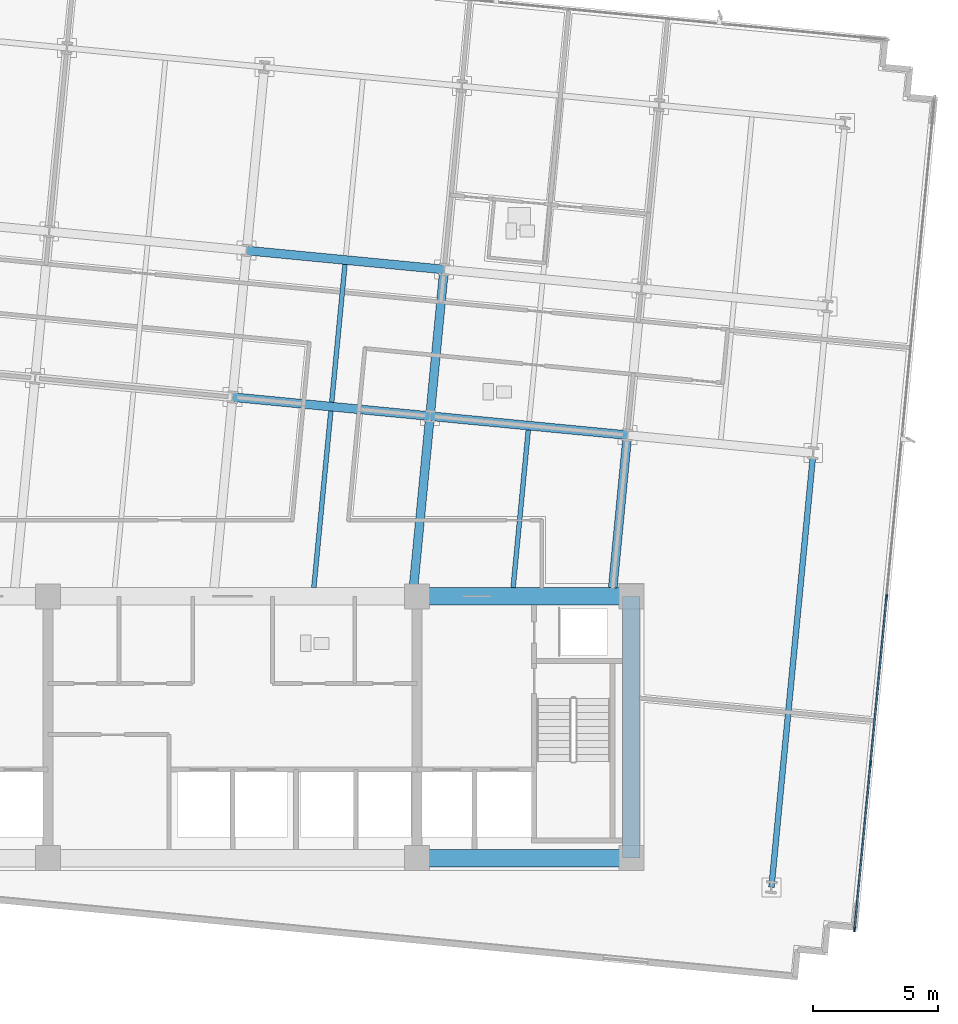
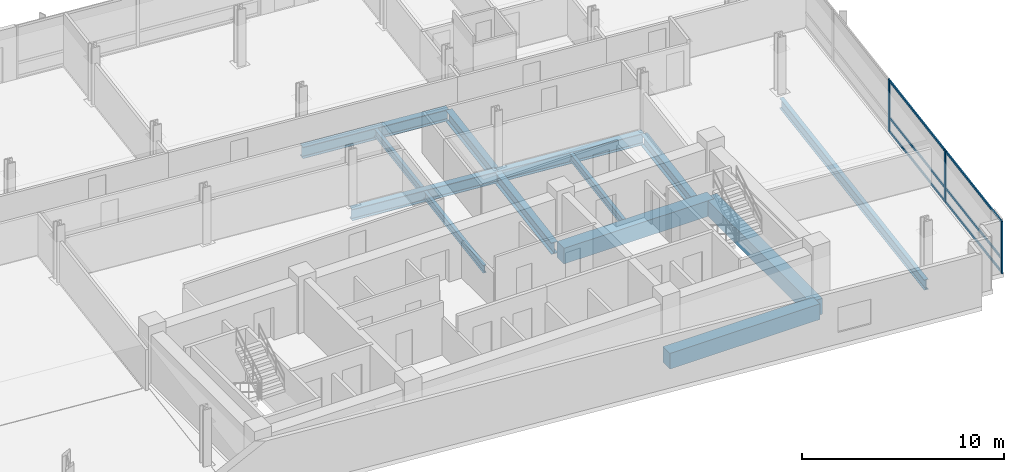
# One storey, part 5 of 17: 13 beams, 9 members, 1 element without a shape of its own.
"""IFC4 building model written with IfcOpenShell, lengths in metres."""

from ifc_helpers import new_model, si_unit, direction, frame, origin, origin_2d, place, context, subcontext, project, spatial, rectangle, i_section, extrude, material, material_profile, profile_set, type_object, element, aggregate, save


model = new_model("IFC4")

# Units and contexts
model_context = context("Model", 3, precision=1e-05, world=origin(), true_north=direction((0.0, 1.0)))
body_context = subcontext(model_context, "Body", "Model", "MODEL_VIEW")
ifc_project = project(units=[si_unit("LENGTHUNIT", "METRE"), si_unit("AREAUNIT", "SQUARE_METRE"), si_unit("VOLUMEUNIT", "CUBIC_METRE"), si_unit("PLANEANGLEUNIT", "RADIAN"), si_unit("MASSUNIT", "GRAM", prefix="KILO")], contexts=[model_context])

# Site, building, storey
site_placement = place(None, origin())
site = spatial("IfcSite", under=ifc_project, at=site_placement, CompositionType="ELEMENT")
building_placement = place(site_placement, origin())
building = spatial("IfcBuilding", under=site, at=building_placement, Name="Solmavex Isthmus Hotel", CompositionType="ELEMENT")
storey_placement = place(building_placement, frame((0.0, 0.0, 163.5)))
storey = spatial("IfcBuildingStorey", under=building, at=storey_placement, Name="L44", CompositionType="ELEMENT", Elevation=163.5)

# Beams
ifc_material_1 = material(Name="Steel ASTM A992 Grade 50", Category="steel")
ifc_material_profile_1 = material_profile(ifc_material_1, i_section(OverallWidth=0.354736328125, OverallDepth=0.695556640625, WebThickness=0.015380859375, FlangeThickness=0.02490234375, FilletRadius=0.017822265625, at=origin_2d()), Name="W27X146")
ifc_profile_set_1 = profile_set([ifc_material_profile_1], Name="Steel ASTM A992 Grade 50")
beam_type_1 = type_object("IfcBeamType", Name="BM-BG-W27X146", PredefinedType="BEAM", material=ifc_profile_set_1)
for number, where, z_axis, x_axis, name in (
    (1, (0.001220703125, 5.490234375, -0.607666015625), (0.995397440011, -0.095832856685, 0.0), (0.095832856685, 0.995397440011, 0.0), "Floor Girder L44-UG06"),
    (2, (7.920654296875, 4.727783203125, -0.607666015625), (0.995397440011, -0.095832856685, 0.0), (0.095832856685, 0.995397440011, 0.0), "Floor Girder L44-UG07"),
):
    element("IfcBeam", number, at=place(storey_placement, frame(where, z_axis=z_axis, x_axis=x_axis)), inside=storey, type_object=beam_type_1, Name=name, PredefinedType="BEAM", context=body_context, shape_type="SweptSolid", body=[
        extrude(i_section(OverallWidth=0.354736328125, OverallDepth=0.695556640625, WebThickness=0.015380859375, FlangeThickness=0.02490234375, FilletRadius=0.017822265625, at=origin_2d()), origin(), (0.0, 0.0, 1.0), 7.9560546875),
    ])
beam_1_placement = place(storey_placement, frame((0.567626953125, 11.37109375, -0.607666015625), z_axis=(0.995397158178, -0.095835783981, 0.0), x_axis=(0.095835783981, 0.995397158178, 0.0)))
element("IfcBeam", 3, at=beam_1_placement, inside=storey, type_object=beam_type_1, Name="Floor Girder L44-UG12", PredefinedType="BEAM", context=body_context, shape_type="SweptSolid", body=[
    extrude(i_section(OverallWidth=0.354736328125, OverallDepth=0.695556640625, WebThickness=0.015380859375, FlangeThickness=0.02490234375, FilletRadius=0.017822265625, at=origin_2d()), origin(), (0.0, 0.0, 1.0), 7.955810546875),
])
beam_2_placement = place(storey_placement, frame((7.25830078125, -2.14990234375, -0.607666015625), z_axis=(0.095847843924, 0.995395996986, 0.0), x_axis=(-0.995395996986, 0.095847843924, 0.0)))
element("IfcBeam", 4, at=beam_2_placement, inside=storey, type_object=beam_type_1, Name="Floor Beam L44-VG33", PredefinedType="BEAM", context=body_context, shape_type="SweptSolid", body=[
    extrude(i_section(OverallWidth=0.354736328125, OverallDepth=0.695556640625, WebThickness=0.015380859375, FlangeThickness=0.02490234375, FilletRadius=0.017822265625, at=origin_2d()), origin(), (0.0, 0.0, 1.0), 6.732177734375),
])
beam_3_placement = place(storey_placement, frame((7.937744140625, 4.904296875, -0.607666015625), z_axis=(0.095842252862, 0.99539653534, 0.0), x_axis=(-0.99539653534, 0.095842252862, 0.0)))
element("IfcBeam", 5, at=beam_3_placement, inside=storey, type_object=beam_type_1, Name="Floor Beam L44-VG34", PredefinedType="BEAM", context=body_context, shape_type="SweptSolid", body=[
    extrude(i_section(OverallWidth=0.354736328125, OverallDepth=0.695556640625, WebThickness=0.015380859375, FlangeThickness=0.02490234375, FilletRadius=0.017822265625, at=origin_2d()), origin(), (0.0, 0.0, 1.0), 5.55322265625),
])
beam_4_placement = place(storey_placement, frame((15.251220703125, -2.14990234375, -0.607666015625), z_axis=(0.095840286514, 0.995396724669, 0.0), x_axis=(-0.995396724669, 0.095840286514, 0.0)))
element("IfcBeam", 6, at=beam_4_placement, inside=storey, type_object=beam_type_1, Name="Floor Beam L44-VG36", PredefinedType="BEAM", context=body_context, shape_type="SweptSolid", body=[
    extrude(i_section(OverallWidth=0.354736328125, OverallDepth=0.695556640625, WebThickness=0.015380859375, FlangeThickness=0.02490234375, FilletRadius=0.017822265625, at=origin_2d()), origin(), (0.0, 0.0, 1.0), 5.9658203125),
])
ifc_material_profile_2 = material_profile(ifc_material_1, i_section(OverallWidth=0.1904296875, OverallDepth=0.456787109375, WebThickness=0.009033203125, FlangeThickness=0.014404296875, FilletRadius=0.0126953125, at=origin_2d()), Name="W18X50")
ifc_profile_set_2 = profile_set([ifc_material_profile_2], Name="Steel ASTM A992 Grade 50")
beam_type_2 = type_object("IfcBeamType", Name="BM-BJ-W18X50", PredefinedType="JOIST", material=ifc_profile_set_2)
beam_5_placement = place(storey_placement, frame((3.261962890625, -2.14990234375, -0.488525390625), z_axis=(0.095837287001, 0.995397013468, 0.0), x_axis=(-0.995397013468, 0.095837287001, 0.0)))
element("IfcBeam", 7, at=beam_5_placement, inside=storey, type_object=beam_type_2, Name="Secondary Floor Joist L44-J10", PredefinedType="JOIST", context=body_context, shape_type="SweptSolid", body=[
    extrude(i_section(OverallWidth=0.1904296875, OverallDepth=0.456787109375, WebThickness=0.009033203125, FlangeThickness=0.014404296875, FilletRadius=0.0126953125, at=origin_2d()), origin(), (0.0, 0.0, 1.0), 7.114990234375),
])
beam_6_placement = place(storey_placement, frame((3.97802734375, 5.28564453125, -0.488525390625), z_axis=(0.095842252862, 0.99539653534, 0.0), x_axis=(-0.99539653534, 0.095842252862, 0.0)))
element("IfcBeam", 8, at=beam_6_placement, inside=storey, type_object=beam_type_2, Name="Secondary Floor Joist L44-J11", PredefinedType="JOIST", context=body_context, shape_type="SweptSolid", body=[
    extrude(i_section(OverallWidth=0.1904296875, OverallDepth=0.456787109375, WebThickness=0.009033203125, FlangeThickness=0.014404296875, FilletRadius=0.0126953125, at=origin_2d()), origin(), (0.0, 0.0, 1.0), 5.55322265625),
])
beam_7_placement = place(storey_placement, frame((11.2548828125, -2.14990234375, -0.488525390625), z_axis=(0.095825243261, 0.995398172971, 0.0), x_axis=(-0.995398172971, 0.095825243261, 0.0)))
element("IfcBeam", 9, at=beam_7_placement, inside=storey, type_object=beam_type_2, Name="Secondary Floor Joist L44-J13", PredefinedType="JOIST", context=body_context, shape_type="SweptSolid", body=[
    extrude(i_section(OverallWidth=0.1904296875, OverallDepth=0.456787109375, WebThickness=0.009033203125, FlangeThickness=0.014404296875, FilletRadius=0.0126953125, at=origin_2d()), origin(), (0.0, 0.0, 1.0), 6.34912109375),
])
ifc_material_2 = material(Name="Concrete C60/75", Category="concrete")
ifc_material_profile_3 = material_profile(ifc_material_2, rectangle(XDim=0.699951171875, YDim=0.949951171875, at=origin_2d()), Name="RC700X950")
ifc_profile_set_3 = profile_set([ifc_material_profile_3], Name="Concrete C60/75")
beam_type_3 = type_object("IfcBeamType", Name="BM-CB-700X950", PredefinedType="BEAM", material=ifc_profile_set_3)
for number, where, z_axis, x_axis, name in (
    (10, (7.39990234375, -13.0, -0.735107421875), (1.0, 0.0, 0.0), (0.0, 1.0, 0.0), "Core Coupling Beam L44-CB3"),
    (11, (7.39990234375, -2.5, -0.735107421875), (1.0, 0.0, 0.0), (0.0, 1.0, 0.0), "Core Coupling Beam L44-CB6"),
):
    element("IfcBeam", number, at=place(storey_placement, frame(where, z_axis=z_axis, x_axis=x_axis)), inside=storey, type_object=beam_type_3, Name=name, PredefinedType="BEAM", context=body_context, shape_type="SweptSolid", body=[
        extrude(rectangle(XDim=0.699951171875, YDim=0.949951171875, at=origin_2d()), origin(), (0.0, 0.0, 1.0), 8.60009765625),
    ])
beam_8_placement = place(storey_placement, frame((16.0, -13.0, -0.735107421875), z_axis=(0.0, 1.0, 0.0), x_axis=(-1.0, 0.0, 0.0)))
element("IfcBeam", 12, at=beam_8_placement, inside=storey, type_object=beam_type_3, Name="Core Coupling Beam L44-CB8", PredefinedType="BEAM", context=body_context, shape_type="SweptSolid", body=[
    extrude(rectangle(XDim=0.699951171875, YDim=0.949951171875, at=origin_2d()), origin(), (0.0, 0.0, 1.0), 10.5),
])
ifc_material_profile_4 = material_profile(ifc_material_1, i_section(OverallWidth=0.230224609375, OverallDepth=0.617431640625, WebThickness=0.01318359375, FlangeThickness=0.022216796875, FilletRadius=0.01513671875, at=origin_2d()), Name="W24X94")
ifc_profile_set_4 = profile_set([ifc_material_profile_4], Name="Steel ASTM A992 Grade 50")
beam_type_4 = type_object("IfcBeamType", Name="BM-SP-W24X94", PredefinedType="SPANDREL", material=ifc_profile_set_4)
beam_9_placement = place(storey_placement, frame((21.6162109375, -14.171875, -0.56884765625), z_axis=(0.095851245948, 0.995395669395, 0.0), x_axis=(-0.995395669395, 0.095851245948, 0.0)))
element("IfcBeam", 13, at=beam_9_placement, inside=storey, type_object=beam_type_4, Name="Floor Beam L44-VG39", PredefinedType="SPANDREL", context=body_context, shape_type="SweptSolid", body=[
    extrude(i_section(OverallWidth=0.230224609375, OverallDepth=0.617431640625, WebThickness=0.01318359375, FlangeThickness=0.022216796875, FilletRadius=0.01513671875, at=origin_2d()), origin(), (0.0, 0.0, 1.0), 17.32275390625),
])

# Curtain wall, members
ifc_material_3 = material(Name="Aluminium alloy 6063-T6", Category="aluminium")
curtain_wall_type = type_object("IfcCurtainWallType", Name="CW-SYS-03", PredefinedType="NOTDEFINED", material=ifc_material_3)
curtain_wall_placement = place(storey_placement, origin())
curtain_wall = element("IfcCurtainWall", 14, at=curtain_wall_placement, inside=storey, type_object=curtain_wall_type, Name="Stick Curtain Wall CWL-L44-E1", PredefinedType="NOTDEFINED")
ifc_material_profile_5 = material_profile(ifc_material_3, rectangle(XDim=0.070068359375, YDim=0.179931640625, at=origin_2d()), Name="CWM-70X180")
ifc_profile_set_5 = profile_set([ifc_material_profile_5], Name="Aluminium alloy 6063-T6")
member_type_1 = type_object("IfcMemberType", Name="CW-SYS-03-MUL", PredefinedType="MULLION", material=ifc_profile_set_5)
member_1_placement = place(storey_placement, frame((24.949462890625, -15.8642578125, 0.0), z_axis=(0.0, 0.0, 1.0), x_axis=(-0.995396190038, 0.09584583902, 0.0)))
member_1 = element("IfcMember", 15, at=member_1_placement, type_object=member_type_1, Name="CW-03 mullion 1", PredefinedType="MULLION", context=body_context, shape_type="SweptSolid", body=[
    extrude(rectangle(XDim=0.070068359375, YDim=0.179931640625, at=origin_2d()), origin(), (0.0, 0.0, 1.0), 3.18994140625),
])
member_2_placement = place(storey_placement, frame((25.590087890625, -9.2099609375, 0.0), z_axis=(0.0, 0.0, 1.0), x_axis=(-0.995396190038, 0.09584583902, 0.0)))
member_2 = element("IfcMember", 16, at=member_2_placement, type_object=member_type_1, Name="CW-03 mullion 2", PredefinedType="MULLION", context=body_context, shape_type="SweptSolid", body=[
    extrude(rectangle(XDim=0.070068359375, YDim=0.179931640625, at=origin_2d()), origin(), (0.0, 0.0, 1.0), 3.18994140625),
])
member_3_placement = place(storey_placement, frame((26.234130859375, -2.520751953125, 0.0), z_axis=(0.0, 0.0, 1.0), x_axis=(-0.995396190038, 0.09584583902, 0.0)))
member_3 = element("IfcMember", 17, at=member_3_placement, type_object=member_type_1, Name="CW-03 mullion 3", PredefinedType="MULLION", context=body_context, shape_type="SweptSolid", body=[
    extrude(rectangle(XDim=0.070068359375, YDim=0.179931640625, at=origin_2d()), origin(), (0.0, 0.0, 1.0), 3.18994140625),
])
ifc_material_profile_6 = material_profile(ifc_material_3, rectangle(XDim=0.070068359375, YDim=0.139892578125, at=origin_2d()), Name="CWT-70X140")
ifc_profile_set_6 = profile_set([ifc_material_profile_6], Name="Aluminium alloy 6063-T6")
member_type_2 = type_object("IfcMemberType", Name="CW-SYS-03-TRN", PredefinedType="USERDEFINED", material=ifc_profile_set_6)
member_4_placement = place(storey_placement, frame((24.95263671875, -15.829345703125, 0.070068359375), z_axis=(0.095848837806, 0.995395901283, 0.0), x_axis=(-0.995395901283, 0.095848837806, 0.0)))
member_4 = element("IfcMember", 18, at=member_4_placement, type_object=member_type_2, Name="CW-03 transom 1.1", ObjectType="TRANSOM", PredefinedType="USERDEFINED", context=body_context, shape_type="SweptSolid", body=[
    extrude(rectangle(XDim=0.070068359375, YDim=0.139892578125, at=origin_2d()), origin(), (0.0, 0.0, 1.0), 6.614990234375),
])
member_5_placement = place(storey_placement, frame((24.95263671875, -15.829345703125, 0.89990234375), z_axis=(0.095848837806, 0.995395901283, 0.0), x_axis=(-0.995395901283, 0.095848837806, 0.0)))
member_5 = element("IfcMember", 19, at=member_5_placement, type_object=member_type_2, Name="CW-03 transom 1.2", ObjectType="TRANSOM", PredefinedType="USERDEFINED", context=body_context, shape_type="SweptSolid", body=[
    extrude(rectangle(XDim=0.070068359375, YDim=0.139892578125, at=origin_2d()), origin(), (0.0, 0.0, 1.0), 6.614990234375),
])
member_6_placement = place(storey_placement, frame((24.95263671875, -15.829345703125, 3.1201171875), z_axis=(0.095848837806, 0.995395901283, 0.0), x_axis=(-0.995395901283, 0.095848837806, 0.0)))
member_6 = element("IfcMember", 20, at=member_6_placement, type_object=member_type_2, Name="CW-03 transom 1.3", ObjectType="TRANSOM", PredefinedType="USERDEFINED", context=body_context, shape_type="SweptSolid", body=[
    extrude(rectangle(XDim=0.070068359375, YDim=0.139892578125, at=origin_2d()), origin(), (0.0, 0.0, 1.0), 6.614990234375),
])
member_7_placement = place(storey_placement, frame((25.593505859375, -9.175048828125, 0.070068359375), z_axis=(0.095857212138, 0.995395094865, 0.0), x_axis=(-0.995395094865, 0.095857212138, 0.0)))
member_7 = element("IfcMember", 21, at=member_7_placement, type_object=member_type_2, Name="CW-03 transom 2.1", ObjectType="TRANSOM", PredefinedType="USERDEFINED", context=body_context, shape_type="SweptSolid", body=[
    extrude(rectangle(XDim=0.070068359375, YDim=0.139892578125, at=origin_2d()), origin(), (0.0, 0.0, 1.0), 6.64990234375),
])
member_8_placement = place(storey_placement, frame((25.593505859375, -9.175048828125, 0.89990234375), z_axis=(0.095857212138, 0.995395094865, 0.0), x_axis=(-0.995395094865, 0.095857212138, 0.0)))
member_8 = element("IfcMember", 22, at=member_8_placement, type_object=member_type_2, Name="CW-03 transom 2.2", ObjectType="TRANSOM", PredefinedType="USERDEFINED", context=body_context, shape_type="SweptSolid", body=[
    extrude(rectangle(XDim=0.070068359375, YDim=0.139892578125, at=origin_2d()), origin(), (0.0, 0.0, 1.0), 6.64990234375),
])
member_9_placement = place(storey_placement, frame((25.593505859375, -9.175048828125, 3.1201171875), z_axis=(0.095857212138, 0.995395094865, 0.0), x_axis=(-0.995395094865, 0.095857212138, 0.0)))
member_9 = element("IfcMember", 23, at=member_9_placement, type_object=member_type_2, Name="CW-03 transom 2.3", ObjectType="TRANSOM", PredefinedType="USERDEFINED", context=body_context, shape_type="SweptSolid", body=[
    extrude(rectangle(XDim=0.070068359375, YDim=0.139892578125, at=origin_2d()), origin(), (0.0, 0.0, 1.0), 6.64990234375),
])
aggregate(curtain_wall, [member_1, member_2, member_3, member_4, member_5, member_6, member_7, member_8, member_9])

save(model, "model.ifc")
